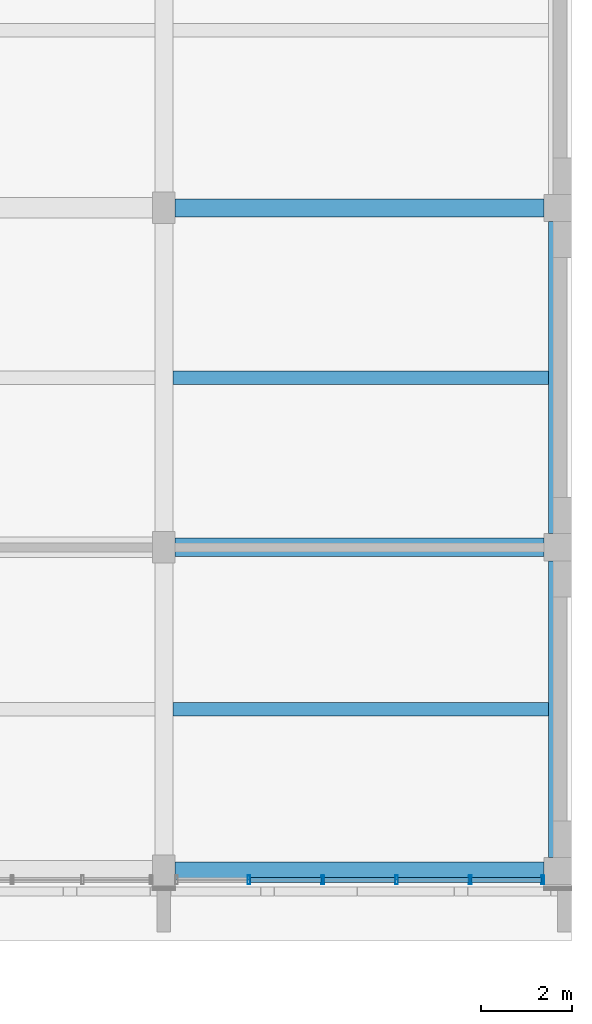
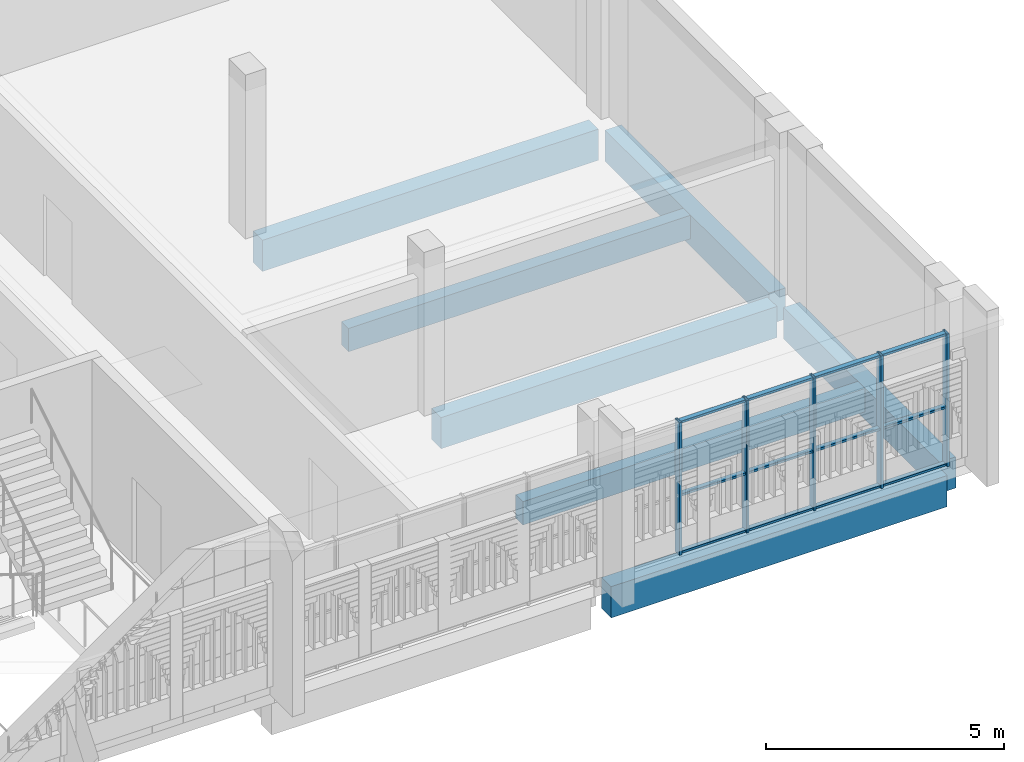
# One storey, part 22 of 98: 17 members, 7 beams, 1 element without a shape of its own.
"""IFC4 building model written with IfcOpenShell, lengths in metres."""

from ifc_helpers import new_model, si_unit, direction, frame, origin, origin_2d, place, context, subcontext, project, spatial, rectangle, hollow_rectangle, extrude, material, material_profile, profile_set, type_object, element, aggregate, save


model = new_model("IFC4")

# Units and contexts
model_context = context("Model", 3, precision=1e-05, world=origin(), true_north=direction((0.0, 1.0)))
body_context = subcontext(model_context, "Body", "Model", "MODEL_VIEW")
ifc_project = project(units=[si_unit("LENGTHUNIT", "METRE"), si_unit("AREAUNIT", "SQUARE_METRE"), si_unit("VOLUMEUNIT", "CUBIC_METRE"), si_unit("PLANEANGLEUNIT", "RADIAN"), si_unit("MASSUNIT", "GRAM", prefix="KILO")], contexts=[model_context])

# Site, building, storey
site_placement = place(None, origin())
site = spatial("IfcSite", under=ifc_project, at=site_placement, CompositionType="ELEMENT")
building_placement = place(site_placement, origin())
building = spatial("IfcBuilding", under=site, at=building_placement, Name="Sun Court Science Centre", CompositionType="ELEMENT")
storey_placement = place(building_placement, frame((0.0, 0.0, 15.75)))
storey = spatial("IfcBuildingStorey", under=building, at=storey_placement, Name="L03", CompositionType="ELEMENT", Elevation=15.75)

# Curtain wall, members
ifc_material_1 = material(Name="Aluminium EN AW-6063 T6", Category="aluminium")
curtain_wall_type = type_object("IfcCurtainWallType", Name="Laboratory tall bay curtain wall 1500", PredefinedType="NOTDEFINED", material=ifc_material_1)
curtain_wall_placement = place(storey_placement, origin())
curtain_wall = element("IfcCurtainWall", 1, at=curtain_wall_placement, inside=storey, type_object=curtain_wall_type, Name="Curtain wall V4 S L03 01", PredefinedType="NOTDEFINED")
ifc_material_2 = material(Name="Aluminium EN AW-6063 T6", Category="aluminium")
ifc_material_profile_1 = material_profile(ifc_material_2, hollow_rectangle(XDim=0.06005859375, YDim=0.199951171875, WallThickness=0.0048828125, InnerFilletRadius=0.0048828125, OuterFilletRadius=0.007568359375, at=origin_2d()), Name="AL 60x200x5")
ifc_profile_set_1 = profile_set([ifc_material_profile_1], Name="Aluminium EN AW-6063 T6")
member_type_1 = type_object("IfcMemberType", Name="Curtain wall mullion AL 60x200", PredefinedType="MULLION", material=ifc_profile_set_1)
member_1_placement = place(storey_placement, frame((96.8798828125, 6.14990234375, 0.0), z_axis=(0.0, 0.0, 1.0), x_axis=(-1.0, 0.0, 0.0)))
member_1 = element("IfcMember", 2, at=member_1_placement, type_object=member_type_1, Name="CW2-53 mullion 5", PredefinedType="MULLION", context=body_context, shape_type="SweptSolid", body=[
    extrude(hollow_rectangle(XDim=0.06005859375, YDim=0.199951171875, WallThickness=0.0048828125, InnerFilletRadius=0.0048828125, OuterFilletRadius=0.007568359375, at=origin_2d()), origin(), (0.0, 0.0, 1.0), 3.39990234375),
])
member_2_placement = place(storey_placement, frame((98.510009765625, 6.14990234375, 0.0), z_axis=(0.0, 0.0, 1.0), x_axis=(-1.0, 0.0, 0.0)))
member_2 = element("IfcMember", 3, at=member_2_placement, type_object=member_type_1, Name="CW2-53 mullion 4", PredefinedType="MULLION", context=body_context, shape_type="SweptSolid", body=[
    extrude(hollow_rectangle(XDim=0.06005859375, YDim=0.199951171875, WallThickness=0.0048828125, InnerFilletRadius=0.0048828125, OuterFilletRadius=0.007568359375, at=origin_2d()), origin(), (0.0, 0.0, 1.0), 3.39990234375),
])
member_3_placement = place(storey_placement, frame((100.139892578125, 6.14990234375, 0.0), z_axis=(0.0, 0.0, 1.0), x_axis=(-1.0, 0.0, 0.0)))
member_3 = element("IfcMember", 4, at=member_3_placement, type_object=member_type_1, Name="CW2-53 mullion 3", PredefinedType="MULLION", context=body_context, shape_type="SweptSolid", body=[
    extrude(hollow_rectangle(XDim=0.06005859375, YDim=0.199951171875, WallThickness=0.0048828125, InnerFilletRadius=0.0048828125, OuterFilletRadius=0.007568359375, at=origin_2d()), origin(), (0.0, 0.0, 1.0), 3.39990234375),
])
member_4_placement = place(storey_placement, frame((101.77001953125, 6.14990234375, 0.0), z_axis=(0.0, 0.0, 1.0), x_axis=(-1.0, 0.0, 0.0)))
member_4 = element("IfcMember", 5, at=member_4_placement, type_object=member_type_1, Name="CW2-53 mullion 2", PredefinedType="MULLION", context=body_context, shape_type="SweptSolid", body=[
    extrude(hollow_rectangle(XDim=0.06005859375, YDim=0.199951171875, WallThickness=0.0048828125, InnerFilletRadius=0.0048828125, OuterFilletRadius=0.007568359375, at=origin_2d()), origin(), (0.0, 0.0, 1.0), 3.39990234375),
])
member_5_placement = place(storey_placement, frame((103.3701171875, 6.14990234375, 0.0), z_axis=(0.0, 0.0, 1.0), x_axis=(-1.0, 0.0, 0.0)))
member_5 = element("IfcMember", 6, at=member_5_placement, type_object=member_type_1, Name="CW2-53 mullion 1", PredefinedType="MULLION", context=body_context, shape_type="SweptSolid", body=[
    extrude(hollow_rectangle(XDim=0.06005859375, YDim=0.199951171875, WallThickness=0.0048828125, InnerFilletRadius=0.0048828125, OuterFilletRadius=0.007568359375, at=origin_2d()), origin(), (0.0, 0.0, 1.0), 3.39990234375),
])
ifc_material_3 = material(Name="Aluminium EN AW-6063 T6", Category="aluminium")
ifc_material_profile_2 = material_profile(ifc_material_3, hollow_rectangle(XDim=0.06005859375, YDim=0.1201171875, WallThickness=0.00390625, InnerFilletRadius=0.00390625, OuterFilletRadius=0.006103515625, at=origin_2d()), Name="AL 60x120x4")
ifc_profile_set_2 = profile_set([ifc_material_profile_2], Name="Aluminium EN AW-6063 T6")
member_type_2 = type_object("IfcMemberType", Name="Curtain wall transom AL 60x120", PredefinedType="USERDEFINED", material=ifc_profile_set_2)
member_6_placement = place(storey_placement, frame((98.47998046875, 6.14990234375, 0.030029296875), z_axis=(-1.0, 0.0, 0.0), x_axis=(0.0, 0.0, 1.0)))
member_6 = element("IfcMember", 7, at=member_6_placement, type_object=member_type_2, Name="CW2-53 transom 4.1", ObjectType="TRANSOM", PredefinedType="USERDEFINED", context=body_context, shape_type="SweptSolid", body=[
    extrude(hollow_rectangle(XDim=0.06005859375, YDim=0.1201171875, WallThickness=0.00390625, InnerFilletRadius=0.00390625, OuterFilletRadius=0.006103515625, at=origin_2d()), origin(), (0.0, 0.0, 1.0), 1.570068359375),
])
member_7_placement = place(storey_placement, frame((100.110107421875, 6.14990234375, 0.030029296875), z_axis=(-1.0, 0.0, 0.0), x_axis=(0.0, 0.0, 1.0)))
member_7 = element("IfcMember", 8, at=member_7_placement, type_object=member_type_2, Name="CW2-53 transom 3.1", ObjectType="TRANSOM", PredefinedType="USERDEFINED", context=body_context, shape_type="SweptSolid", body=[
    extrude(hollow_rectangle(XDim=0.06005859375, YDim=0.1201171875, WallThickness=0.00390625, InnerFilletRadius=0.00390625, OuterFilletRadius=0.006103515625, at=origin_2d()), origin(), (0.0, 0.0, 1.0), 1.570068359375),
])
member_8_placement = place(storey_placement, frame((101.739990234375, 6.14990234375, 0.030029296875), z_axis=(-1.0, 0.0, 0.0), x_axis=(0.0, 0.0, 1.0)))
member_8 = element("IfcMember", 9, at=member_8_placement, type_object=member_type_2, Name="CW2-53 transom 2.1", ObjectType="TRANSOM", PredefinedType="USERDEFINED", context=body_context, shape_type="SweptSolid", body=[
    extrude(hollow_rectangle(XDim=0.06005859375, YDim=0.1201171875, WallThickness=0.00390625, InnerFilletRadius=0.00390625, OuterFilletRadius=0.006103515625, at=origin_2d()), origin(), (0.0, 0.0, 1.0), 1.570068359375),
])
member_9_placement = place(storey_placement, frame((103.340087890625, 6.14990234375, 0.030029296875), z_axis=(-1.0, 0.0, 0.0), x_axis=(0.0, 0.0, 1.0)))
member_9 = element("IfcMember", 10, at=member_9_placement, type_object=member_type_2, Name="CW2-53 transom 1.1", ObjectType="TRANSOM", PredefinedType="USERDEFINED", context=body_context, shape_type="SweptSolid", body=[
    extrude(hollow_rectangle(XDim=0.06005859375, YDim=0.1201171875, WallThickness=0.00390625, InnerFilletRadius=0.00390625, OuterFilletRadius=0.006103515625, at=origin_2d()), origin(), (0.0, 0.0, 1.0), 1.5400390625),
])
member_10_placement = place(storey_placement, frame((98.47998046875, 6.14990234375, 1.5), z_axis=(-1.0, 0.0, 0.0), x_axis=(0.0, 0.0, 1.0)))
member_10 = element("IfcMember", 11, at=member_10_placement, type_object=member_type_2, Name="CW2-53 transom 4.2", ObjectType="TRANSOM", PredefinedType="USERDEFINED", context=body_context, shape_type="SweptSolid", body=[
    extrude(hollow_rectangle(XDim=0.06005859375, YDim=0.1201171875, WallThickness=0.00390625, InnerFilletRadius=0.00390625, OuterFilletRadius=0.006103515625, at=origin_2d()), origin(), (0.0, 0.0, 1.0), 1.570068359375),
])
member_11_placement = place(storey_placement, frame((100.110107421875, 6.14990234375, 1.5), z_axis=(-1.0, 0.0, 0.0), x_axis=(0.0, 0.0, 1.0)))
member_11 = element("IfcMember", 12, at=member_11_placement, type_object=member_type_2, Name="CW2-53 transom 3.2", ObjectType="TRANSOM", PredefinedType="USERDEFINED", context=body_context, shape_type="SweptSolid", body=[
    extrude(hollow_rectangle(XDim=0.06005859375, YDim=0.1201171875, WallThickness=0.00390625, InnerFilletRadius=0.00390625, OuterFilletRadius=0.006103515625, at=origin_2d()), origin(), (0.0, 0.0, 1.0), 1.570068359375),
])
member_12_placement = place(storey_placement, frame((101.739990234375, 6.14990234375, 1.5), z_axis=(-1.0, 0.0, 0.0), x_axis=(0.0, 0.0, 1.0)))
member_12 = element("IfcMember", 13, at=member_12_placement, type_object=member_type_2, Name="CW2-53 transom 2.2", ObjectType="TRANSOM", PredefinedType="USERDEFINED", context=body_context, shape_type="SweptSolid", body=[
    extrude(hollow_rectangle(XDim=0.06005859375, YDim=0.1201171875, WallThickness=0.00390625, InnerFilletRadius=0.00390625, OuterFilletRadius=0.006103515625, at=origin_2d()), origin(), (0.0, 0.0, 1.0), 1.570068359375),
])
member_13_placement = place(storey_placement, frame((103.340087890625, 6.14990234375, 1.5), z_axis=(-1.0, 0.0, 0.0), x_axis=(0.0, 0.0, 1.0)))
member_13 = element("IfcMember", 14, at=member_13_placement, type_object=member_type_2, Name="CW2-53 transom 1.2", ObjectType="TRANSOM", PredefinedType="USERDEFINED", context=body_context, shape_type="SweptSolid", body=[
    extrude(hollow_rectangle(XDim=0.06005859375, YDim=0.1201171875, WallThickness=0.00390625, InnerFilletRadius=0.00390625, OuterFilletRadius=0.006103515625, at=origin_2d()), origin(), (0.0, 0.0, 1.0), 1.5400390625),
])
member_14_placement = place(storey_placement, frame((98.47998046875, 6.14990234375, 3.3701171875), z_axis=(-1.0, 0.0, 0.0), x_axis=(0.0, 0.0, 1.0)))
member_14 = element("IfcMember", 15, at=member_14_placement, type_object=member_type_2, Name="CW2-53 transom 4.3", ObjectType="TRANSOM", PredefinedType="USERDEFINED", context=body_context, shape_type="SweptSolid", body=[
    extrude(hollow_rectangle(XDim=0.06005859375, YDim=0.1201171875, WallThickness=0.00390625, InnerFilletRadius=0.00390625, OuterFilletRadius=0.006103515625, at=origin_2d()), origin(), (0.0, 0.0, 1.0), 1.570068359375),
])
member_15_placement = place(storey_placement, frame((100.110107421875, 6.14990234375, 3.3701171875), z_axis=(-1.0, 0.0, 0.0), x_axis=(0.0, 0.0, 1.0)))
member_15 = element("IfcMember", 16, at=member_15_placement, type_object=member_type_2, Name="CW2-53 transom 3.3", ObjectType="TRANSOM", PredefinedType="USERDEFINED", context=body_context, shape_type="SweptSolid", body=[
    extrude(hollow_rectangle(XDim=0.06005859375, YDim=0.1201171875, WallThickness=0.00390625, InnerFilletRadius=0.00390625, OuterFilletRadius=0.006103515625, at=origin_2d()), origin(), (0.0, 0.0, 1.0), 1.570068359375),
])
member_16_placement = place(storey_placement, frame((101.739990234375, 6.14990234375, 3.3701171875), z_axis=(-1.0, 0.0, 0.0), x_axis=(0.0, 0.0, 1.0)))
member_16 = element("IfcMember", 17, at=member_16_placement, type_object=member_type_2, Name="CW2-53 transom 2.3", ObjectType="TRANSOM", PredefinedType="USERDEFINED", context=body_context, shape_type="SweptSolid", body=[
    extrude(hollow_rectangle(XDim=0.06005859375, YDim=0.1201171875, WallThickness=0.00390625, InnerFilletRadius=0.00390625, OuterFilletRadius=0.006103515625, at=origin_2d()), origin(), (0.0, 0.0, 1.0), 1.570068359375),
])
member_17_placement = place(storey_placement, frame((103.340087890625, 6.14990234375, 3.3701171875), z_axis=(-1.0, 0.0, 0.0), x_axis=(0.0, 0.0, 1.0)))
member_17 = element("IfcMember", 18, at=member_17_placement, type_object=member_type_2, Name="CW2-53 transom 1.3", ObjectType="TRANSOM", PredefinedType="USERDEFINED", context=body_context, shape_type="SweptSolid", body=[
    extrude(hollow_rectangle(XDim=0.06005859375, YDim=0.1201171875, WallThickness=0.00390625, InnerFilletRadius=0.00390625, OuterFilletRadius=0.006103515625, at=origin_2d()), origin(), (0.0, 0.0, 1.0), 1.5400390625),
])
aggregate(curtain_wall, [member_1, member_2, member_3, member_4, member_5, member_6, member_7, member_8, member_9, member_10, member_11, member_12, member_13, member_14, member_15, member_16, member_17])

# Beams
ifc_material_4 = material(Name="Concrete C25/30", Category="concrete")
ifc_material_profile_3 = material_profile(ifc_material_4, rectangle(XDim=0.39990234375, YDim=0.800048828125, at=origin_2d()), Name="RC 400x800")
ifc_profile_set_3 = profile_set([ifc_material_profile_3], Name="Concrete C25/30")
beam_type_1 = type_object("IfcBeamType", Name="RC girder 400x800", PredefinedType="BEAM", material=ifc_profile_set_3)
for number, where, z_axis, x_axis, name in (
    (19, (95.25, 6.35009765625, -0.699951171875), (1.0, 0.0, 0.0), (0.0, 1.0, 0.0), "Girder L03 row 1"),
    (20, (95.25, 13.5, -0.699951171875), (1.0, 0.0, 0.0), (0.0, 1.0, 0.0), "Girder L03 row 2"),
    (21, (95.25, 21.0, -0.699951171875), (1.0, 0.0, 0.0), (0.0, 1.0, 0.0), "Girder L03 row 3"),
):
    element("IfcBeam", number, at=place(storey_placement, frame(where, z_axis=z_axis, x_axis=x_axis)), inside=storey, type_object=beam_type_1, Name=name, PredefinedType="BEAM", context=body_context, shape_type="SweptSolid", body=[
        extrude(rectangle(XDim=0.39990234375, YDim=0.800048828125, at=origin_2d()), origin(), (0.0, 0.0, 1.0), 8.14990234375),
    ])
beam_1_placement = place(storey_placement, frame((103.699951171875, 6.64990234375, -0.699951171875), z_axis=(0.0, 1.0, 0.0), x_axis=(-1.0, 0.0, 0.0)))
element("IfcBeam", 22, at=beam_1_placement, inside=storey, type_object=beam_type_1, Name="Girder L03 line 4", PredefinedType="BEAM", context=body_context, shape_type="SweptSolid", body=[
    extrude(rectangle(XDim=0.39990234375, YDim=0.800048828125, at=origin_2d()), origin(), (0.0, 0.0, 1.0), 6.550048828125),
])
beam_2_placement = place(storey_placement, frame((103.699951171875, 13.800048828125, -0.699951171875), z_axis=(0.0, 1.0, 0.0), x_axis=(-1.0, 0.0, 0.0)))
element("IfcBeam", 23, at=beam_2_placement, inside=storey, type_object=beam_type_1, Name="Girder L03 line 4", PredefinedType="BEAM", context=body_context, shape_type="SweptSolid", body=[
    extrude(rectangle(XDim=0.39990234375, YDim=0.800048828125, at=origin_2d()), origin(), (0.0, 0.0, 1.0), 6.89990234375),
])
ifc_material_5 = material(Name="Concrete C25/30", Category="concrete")
ifc_material_profile_4 = material_profile(ifc_material_5, rectangle(XDim=0.300048828125, YDim=0.60009765625, at=origin_2d()), Name="RC 300x600")
ifc_profile_set_4 = profile_set([ifc_material_profile_4], Name="Concrete C25/30")
beam_type_2 = type_object("IfcBeamType", Name="RC joist 300x600", PredefinedType="JOIST", material=ifc_profile_set_4)
for number, where, z_axis, x_axis, name in (
    (24, (95.199951171875, 9.925048828125, -0.60009765625), (1.0, 0.0, 0.0), (0.0, 1.0, 0.0), "Joist L03"),
    (25, (95.199951171875, 17.25, -0.60009765625), (1.0, 0.0, 0.0), (0.0, 1.0, 0.0), "Joist L03"),
):
    element("IfcBeam", number, at=place(storey_placement, frame(where, z_axis=z_axis, x_axis=x_axis)), inside=storey, type_object=beam_type_2, Name=name, PredefinedType="JOIST", context=body_context, shape_type="SweptSolid", body=[
        extrude(rectangle(XDim=0.300048828125, YDim=0.60009765625, at=origin_2d()), origin(), (0.0, 0.0, 1.0), 8.300048828125),
    ])

save(model, "model.ifc")
